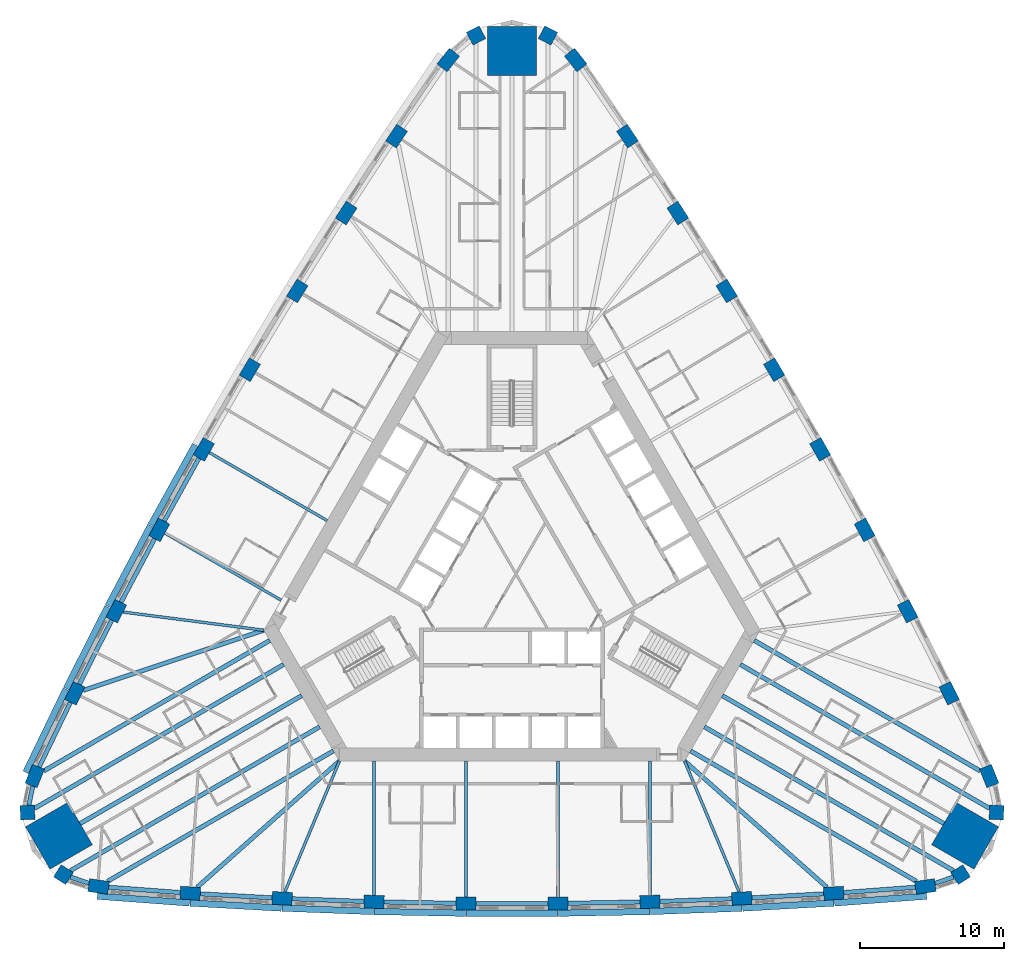
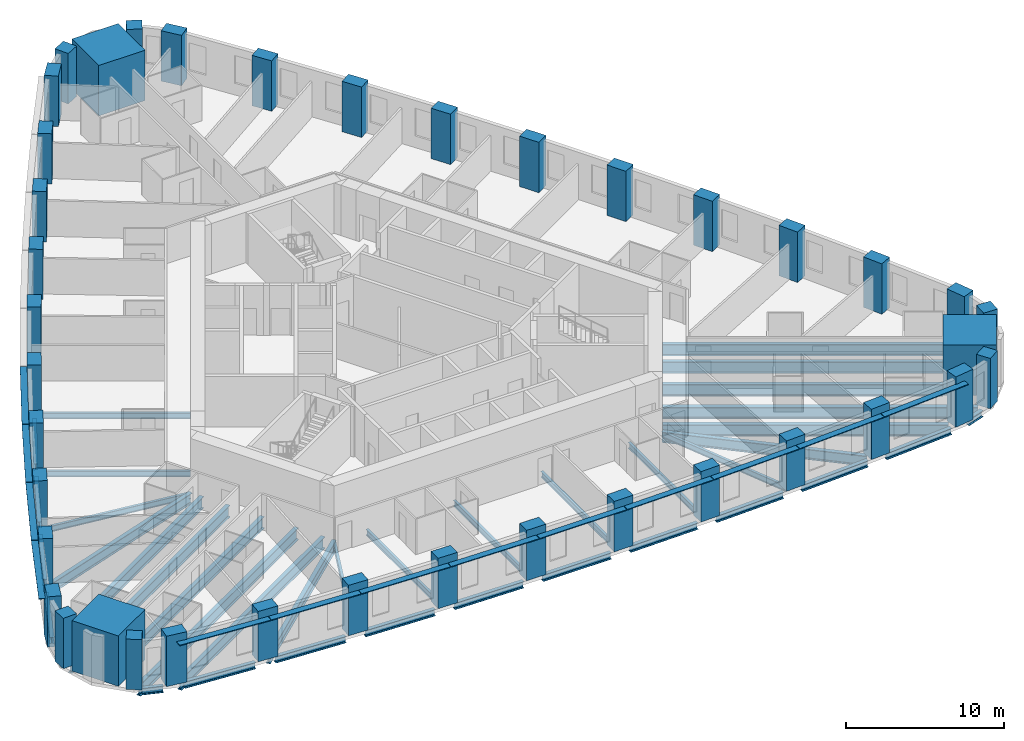
# One storey, part 1 of 13: 39 columns, 38 beams, 13 members.
"""IFC4 building model written with IfcOpenShell, lengths in metres."""

from ifc_helpers import new_model, si_unit, direction, frame, origin, origin_2d, place, context, subcontext, project, spatial, rectangle, i_section, extrude, material, material_profile, profile_set, type_object, element, save


model = new_model("IFC4")

# Units and contexts
model_context = context("Model", 3, precision=1e-05, world=origin(), true_north=direction((0.0, 1.0)))
body_context = subcontext(model_context, "Body", "Model", "MODEL_VIEW")
ifc_project = project(units=[si_unit("LENGTHUNIT", "METRE"), si_unit("AREAUNIT", "SQUARE_METRE"), si_unit("VOLUMEUNIT", "CUBIC_METRE"), si_unit("PLANEANGLEUNIT", "RADIAN"), si_unit("MASSUNIT", "GRAM", prefix="KILO")], contexts=[model_context])

# Site, building, storey
site_placement = place(None, origin())
site = spatial("IfcSite", under=ifc_project, at=site_placement, CompositionType="ELEMENT")
building_placement = place(site_placement, origin())
building = spatial("IfcBuilding", under=site, at=building_placement, Name="Mestral Congress Tower", CompositionType="ELEMENT")
storey_placement = place(building_placement, frame((0.0, 0.0, 51.0)))
storey = spatial("IfcBuildingStorey", under=building, at=storey_placement, Name="L11", CompositionType="ELEMENT", Elevation=51.0)

# Columns
ifc_material_1 = material(Name="Concrete C70/85", Category="concrete")
ifc_material_profile_1 = material_profile(ifc_material_1, rectangle(XDim=1.0, YDim=1.0, at=origin_2d()), Name="RC 1000x1000")
ifc_profile_set_1 = profile_set([ifc_material_profile_1], Name="Concrete C70/85")
column_type_1 = type_object("IfcColumnType", Name="Column RC 1000x1000 C70/85", PredefinedType="COLUMN", material=ifc_profile_set_1)
for number, where, z_axis, x_axis, name in (
    (1, (31.210205078125, -20.90966796875, 0.0), (0.0, 0.0, 1.0), (0.844485001826, 0.535579202071, 0.0), "COL-L11-C1-SE1"),
    (2, (33.71337890625, -16.573974609375, 0.0), (0.0, 0.0, 1.0), (0.041582693819, 0.999135065732, 0.0), "COL-L11-C1-SE3"),
    (3, (2.503173828125, 37.483642578125, 0.0), (0.0, 0.0, 1.0), (-0.886067695645, 0.463555863661, 0.0), "COL-L11-C1-N1"),
    (4, (-2.503173828125, 37.483642578125, 0.0), (0.0, 0.0, 1.0), (-0.886067695645, -0.463555863661, 0.0), "COL-L11-C1-N3"),
    (5, (-33.71337890625, -16.573974609375, 0.0), (0.0, 0.0, 1.0), (0.041582693819, -0.999135065732, 0.0), "COL-L11-C1-SW1"),
    (6, (-31.210205078125, -20.90966796875, 0.0), (0.0, 0.0, 1.0), (0.844485001826, -0.535579202071, 0.0), "COL-L11-C1-SW3"),
):
    element("IfcColumn", number, at=place(storey_placement, frame(where, z_axis=z_axis, x_axis=x_axis)), inside=storey, type_object=column_type_1, Name=name, PredefinedType="COLUMN", context=body_context, shape_type="SweptSolid", body=[
        extrude(rectangle(XDim=1.0, YDim=1.0, at=origin_2d()), origin(), (0.0, 0.0, 1.0), 3.89990234375),
    ])
ifc_material_profile_2 = material_profile(ifc_material_1, rectangle(XDim=1.39990234375, YDim=0.89990234375, at=origin_2d()), Name="RC 1400x900")
ifc_profile_set_2 = profile_set([ifc_material_profile_2], Name="Concrete C70/85")
column_type_2 = type_object("IfcColumnType", Name="Column RC 1400x900 C70/85", PredefinedType="COLUMN", material=ifc_profile_set_2)
for number, where, z_axis, x_axis, name in (
    (7, (-28.766845703125, -21.730712890625, 0.0), (0.0, 0.0, 1.0), (0.989423502484, -0.145055619443, 0.0), "COL-L11-C1-S00"),
    (8, (-22.384521484375, -22.20361328125, 0.0), (0.0, 0.0, 1.0), (0.997907501024, -0.064657709518, 0.0), "COL-L11-C1-S01"),
    (9, (-15.994384765625, -22.558349609375, 0.0), (0.0, 0.0, 1.0), (0.998932216029, -0.04619986774, 0.0), "COL-L11-C1-S02"),
    (10, (-9.598876953125, -22.794921875, 0.0), (0.0, 0.0, 1.0), (0.999615553977, -0.027726237529, 0.0), "COL-L11-C1-S03"),
    (11, (-3.199951171875, -22.9130859375, 0.0), (0.0, 0.0, 1.0), (0.999957281342, -0.009243132098, 0.0), "COL-L11-C1-S04"),
    (12, (3.199951171875, -22.9130859375, 0.0), (0.0, 0.0, 1.0), (0.999957281342, 0.009243132098, 0.0), "COL-L11-C1-S05"),
    (13, (9.598876953125, -22.794921875, 0.0), (0.0, 0.0, 1.0), (0.999615553977, 0.027726237529, 0.0), "COL-L11-C1-S06"),
    (14, (15.994384765625, -22.558349609375, 0.0), (0.0, 0.0, 1.0), (0.998932216029, 0.04619986774, 0.0), "COL-L11-C1-S07"),
    (15, (22.384521484375, -22.20361328125, 0.0), (0.0, 0.0, 1.0), (0.997907501024, 0.064657709518, 0.0), "COL-L11-C1-S08"),
    (16, (28.766845703125, -21.730712890625, 0.0), (0.0, 0.0, 1.0), (0.989423502484, 0.145055619443, 0.0), "COL-L11-C1-S09"),
    (17, (33.202880859375, -14.04736328125, 0.0), (0.0, 0.0, 1.0), (-0.369089899843, 0.929393697974, 0.0), "COL-L11-C1-E00"),
    (18, (30.421142578125, -8.28369140625, 0.0), (0.0, 0.0, 1.0), (-0.442958531519, 0.896542101273, 0.0), "COL-L11-C1-E01"),
    (19, (27.533203125, -2.572265625, 0.0), (0.0, 0.0, 1.0), (-0.4594558489, 0.88820060961, 0.0), "COL-L11-C1-E02"),
    (20, (24.540283203125, 3.084716796875, 0.0), (0.0, 0.0, 1.0), (-0.475796150937, 0.879555582526, 0.0), "COL-L11-C1-E03"),
    (21, (21.443359375, 8.685302734375, 0.0), (0.0, 0.0, 1.0), (-0.491973853463, 0.870609974391, 0.0), "COL-L11-C1-E04"),
    (22, (18.243408203125, 14.227783203125, 0.0), (0.0, 0.0, 1.0), (-0.507983427879, 0.861366842292, 0.0), "COL-L11-C1-E05"),
    (23, (14.941650390625, 19.710205078125, 0.0), (0.0, 0.0, 1.0), (-0.52381940304, 0.851829344998, 0.0), "COL-L11-C1-E06"),
    (24, (11.5390625, 25.130615234375, 0.0), (0.0, 0.0, 1.0), (-0.539476367129, 0.84200074187, 0.0), "COL-L11-C1-E07"),
    (25, (8.03662109375, 30.4873046875, 0.0), (0.0, 0.0, 1.0), (-0.554948969505, 0.831884391755, 0.0), "COL-L11-C1-E08"),
    (26, (4.43603515625, 35.7783203125, 0.0), (0.0, 0.0, 1.0), (-0.620333602641, 0.784338078531, 0.0), "COL-L11-C1-E09"),
    (27, (-4.43603515625, 35.7783203125, 0.0), (0.0, 0.0, 1.0), (-0.620333602641, -0.784338078531, 0.0), "COL-L11-C1-W00"),
    (28, (-8.03662109375, 30.4873046875, 0.0), (0.0, 0.0, 1.0), (-0.554948969505, -0.831884391755, 0.0), "COL-L11-C1-W01"),
    (29, (-11.5390625, 25.130615234375, 0.0), (0.0, 0.0, 1.0), (-0.539476367129, -0.84200074187, 0.0), "COL-L11-C1-W02"),
    (30, (-14.941650390625, 19.710205078125, 0.0), (0.0, 0.0, 1.0), (-0.52381940304, -0.851829344998, 0.0), "COL-L11-C1-W03"),
    (31, (-18.243408203125, 14.227783203125, 0.0), (0.0, 0.0, 1.0), (-0.507983427879, -0.861366842292, 0.0), "COL-L11-C1-W04"),
    (32, (-21.443359375, 8.685302734375, 0.0), (0.0, 0.0, 1.0), (-0.491973853463, -0.870609974391, 0.0), "COL-L11-C1-W05"),
    (33, (-24.540283203125, 3.084716796875, 0.0), (0.0, 0.0, 1.0), (-0.475796150937, -0.879555582526, 0.0), "COL-L11-C1-W06"),
    (34, (-27.533203125, -2.572265625, 0.0), (0.0, 0.0, 1.0), (-0.4594558489, -0.88820060961, 0.0), "COL-L11-C1-W07"),
    (35, (-30.421142578125, -8.28369140625, 0.0), (0.0, 0.0, 1.0), (-0.442958531519, -0.896542101273, 0.0), "COL-L11-C1-W08"),
    (36, (-33.202880859375, -14.04736328125, 0.0), (0.0, 0.0, 1.0), (-0.369089899843, -0.929393697974, 0.0), "COL-L11-C1-W09"),
):
    element("IfcColumn", number, at=place(storey_placement, frame(where, z_axis=z_axis, x_axis=x_axis)), inside=storey, type_object=column_type_2, Name=name, PredefinedType="COLUMN", context=body_context, shape_type="SweptSolid", body=[
        extrude(rectangle(XDim=1.39990234375, YDim=0.89990234375, at=origin_2d()), origin(), (0.0, 0.0, 1.0), 3.89990234375),
    ])
ifc_material_2 = material(Name="Concrete C80/95", Category="concrete")
ifc_material_profile_3 = material_profile(ifc_material_2, rectangle(XDim=3.39990234375, YDim=3.39990234375, at=origin_2d()), Name="RC 3400x3400")
ifc_profile_set_3 = profile_set([ifc_material_profile_3], Name="Concrete C80/95")
column_type_3 = type_object("IfcColumnType", Name="Mega column RC 3400x3400 C80/95", PredefinedType="COLUMN", material=ifc_profile_set_3)
for number, where, z_axis, x_axis, name in (
    (37, (31.5224609375, -18.199462890625, 0.0), (0.0, 0.0, 1.0), (0.866025403784, -0.5, 0.0), "COL-L11-PY1-SE"),
    (38, (0.0, 36.39892578125, 0.0), (0.0, 0.0, 1.0), (0.0, 1.0, 0.0), "COL-L11-PY1-N"),
    (39, (-31.5224609375, -18.199462890625, 0.0), (0.0, 0.0, 1.0), (-0.866025403784, -0.5, 0.0), "COL-L11-PY1-SW"),
):
    element("IfcColumn", number, at=place(storey_placement, frame(where, z_axis=z_axis, x_axis=x_axis)), inside=storey, type_object=column_type_3, Name=name, PredefinedType="COLUMN", context=body_context, shape_type="SweptSolid", body=[
        extrude(rectangle(XDim=3.39990234375, YDim=3.39990234375, at=origin_2d()), origin(), (0.0, 0.0, 1.0), 3.89990234375),
    ])

# Members
ifc_material_3 = material(Name="Glazed ceramic", Category="masonry")
ifc_material_profile_4 = material_profile(ifc_material_3, rectangle(XDim=0.449951171875, YDim=0.06005859375, at=origin_2d()), Name="Ceramic blade 450 x 60")
ifc_profile_set_4 = profile_set([ifc_material_profile_4], Name="Glazed ceramic")
member_type = type_object("IfcMemberType", Name="Facade sunshade blade 450 x 60", PredefinedType="USERDEFINED", material=ifc_profile_set_4)
member_1_placement = place(storey_placement, frame((-28.853271484375, -22.4013671875, 3.280029296875), z_axis=(0.997269829073, -0.073843672858, 0.0), x_axis=(0.073843672858, 0.997269829073, 0.0)))
element("IfcMember", 40, at=member_1_placement, inside=storey, type_object=member_type, Name="Sunshade F0-00", ObjectType="SUNSHADE", PredefinedType="USERDEFINED", context=body_context, shape_type="SweptSolid", body=[
    extrude(rectangle(XDim=0.449951171875, YDim=0.06005859375, at=origin_2d()), origin(), (0.0, 0.0, 1.0), 6.420654296875),
])
member_2_placement = place(storey_placement, frame((-22.406005859375, -22.87841796875, 3.280029296875), z_axis=(0.998462240013, -0.055436046654, 0.0), x_axis=(0.055436046654, 0.998462240013, 0.0)))
element("IfcMember", 41, at=member_2_placement, inside=storey, type_object=member_type, Name="Sunshade F0-01", ObjectType="SUNSHADE", PredefinedType="USERDEFINED", context=body_context, shape_type="SweptSolid", body=[
    extrude(rectangle(XDim=0.449951171875, YDim=0.06005859375, at=origin_2d()), origin(), (0.0, 0.0, 1.0), 6.3681640625),
])
member_3_placement = place(storey_placement, frame((-16.00341796875, -23.2333984375, 3.280029296875), z_axis=(0.99931546381, -0.036994645436, 0.0), x_axis=(0.036994645436, 0.99931546381, 0.0)))
element("IfcMember", 42, at=member_3_placement, inside=storey, type_object=member_type, Name="Sunshade F0-02", ObjectType="SUNSHADE", PredefinedType="USERDEFINED", context=body_context, shape_type="SweptSolid", body=[
    extrude(rectangle(XDim=0.449951171875, YDim=0.06005859375, at=origin_2d()), origin(), (0.0, 0.0, 1.0), 6.368408203125),
])
for number, where, z_axis, x_axis, name in (
    (43, (-9.595458984375, -23.47021484375, 3.280029296875), (0.99982925906, -0.018478439527, 0.0), (0.018478439527, 0.99982925906, 0.0), "Sunshade F0-03"),
    (44, (-3.18408203125, -23.588134765625, 3.280029296875), (1.0, 0.0, 0.0), (0.0, 1.0, 0.0), "Sunshade F0-04"),
    (45, (3.228271484375, -23.587890625, 3.280029296875), (0.99982925906, 0.018478439527, 0.0), (-0.018478439527, 0.99982925906, 0.0), "Sunshade F0-05"),
):
    element("IfcMember", number, at=place(storey_placement, frame(where, z_axis=z_axis, x_axis=x_axis)), inside=storey, type_object=member_type, Name=name, ObjectType="SUNSHADE", PredefinedType="USERDEFINED", context=body_context, shape_type="SweptSolid", body=[
        extrude(rectangle(XDim=0.449951171875, YDim=0.06005859375, at=origin_2d()), origin(), (0.0, 0.0, 1.0), 6.3681640625),
    ])
member_4_placement = place(storey_placement, frame((9.639404296875, -23.468994140625, 3.280029296875), z_axis=(0.99931546381, 0.036994645436, 0.0), x_axis=(-0.036994645436, 0.99931546381, 0.0)))
element("IfcMember", 46, at=member_4_placement, inside=storey, type_object=member_type, Name="Sunshade F0-06", ObjectType="SUNSHADE", PredefinedType="USERDEFINED", context=body_context, shape_type="SweptSolid", body=[
    extrude(rectangle(XDim=0.449951171875, YDim=0.06005859375, at=origin_2d()), origin(), (0.0, 0.0, 1.0), 6.368408203125),
])
member_5_placement = place(storey_placement, frame((16.047607421875, -23.2314453125, 3.280029296875), z_axis=(0.998462240013, 0.055436046654, 0.0), x_axis=(-0.055436046654, 0.998462240013, 0.0)))
element("IfcMember", 47, at=member_5_placement, inside=storey, type_object=member_type, Name="Sunshade F0-07", ObjectType="SUNSHADE", PredefinedType="USERDEFINED", context=body_context, shape_type="SweptSolid", body=[
    extrude(rectangle(XDim=0.449951171875, YDim=0.06005859375, at=origin_2d()), origin(), (0.0, 0.0, 1.0), 6.3681640625),
])
member_6_placement = place(storey_placement, frame((22.4501953125, -22.87548828125, 3.280029296875), z_axis=(0.997269829073, 0.073843672858, 0.0), x_axis=(-0.073843672858, 0.997269829073, 0.0)))
element("IfcMember", 48, at=member_6_placement, inside=storey, type_object=member_type, Name="Sunshade F0-08", ObjectType="SUNSHADE", PredefinedType="USERDEFINED", context=body_context, shape_type="SweptSolid", body=[
    extrude(rectangle(XDim=0.449951171875, YDim=0.06005859375, at=origin_2d()), origin(), (0.0, 0.0, 1.0), 6.420654296875),
])
for number, where, z_axis, x_axis, name in (
    (49, (-22.041748046875, 8.998291015625, 3.280029296875), (-0.483893994258, -0.875126620736, 0.0), (0.875126620736, -0.483893994258, 0.0), "Sunshade F2-05"),
    (50, (-25.144287109375, 3.38623046875, 3.280029296875), (-0.467674573128, -0.883900726128, 0.0), (0.883900726128, -0.467674573128, 0.0), "Sunshade F2-06"),
    (51, (-28.142822265625, -2.28173828125, 3.280029296875), (-0.451226804026, -0.892409307061, 0.0), (0.892409307061, -0.451226804026, 0.0), "Sunshade F2-07"),
):
    element("IfcMember", number, at=place(storey_placement, frame(where, z_axis=z_axis, x_axis=x_axis)), inside=storey, type_object=member_type, Name=name, ObjectType="SUNSHADE", PredefinedType="USERDEFINED", context=body_context, shape_type="SweptSolid", body=[
        extrude(rectangle(XDim=0.449951171875, YDim=0.06005859375, at=origin_2d()), origin(), (0.0, 0.0, 1.0), 6.3681640625),
    ])
member_7_placement = place(storey_placement, frame((-31.035888671875, -8.00439453125, 3.280029296875), z_axis=(-0.434637414368, -0.900605528537, 0.0), x_axis=(0.900605528537, -0.434637414368, 0.0)))
element("IfcMember", 52, at=member_7_placement, inside=storey, type_object=member_type, Name="Sunshade F2-08", ObjectType="SUNSHADE", PredefinedType="USERDEFINED", context=body_context, shape_type="SweptSolid", body=[
    extrude(rectangle(XDim=0.449951171875, YDim=0.06005859375, at=origin_2d()), origin(), (0.0, 0.0, 1.0), 6.4208984375),
])

# Beams
ifc_material_4 = material(Name="Steel S355", Category="steel")
ifc_material_profile_5 = material_profile(ifc_material_4, i_section(OverallWidth=0.300048828125, OverallDepth=0.800048828125, WebThickness=0.017578125, FlangeThickness=0.032958984375, FilletRadius=0.030029296875, at=origin_2d()), Name="HEB 800")
ifc_profile_set_5 = profile_set([ifc_material_profile_5], Name="Steel S355")
beam_type_1 = type_object("IfcBeamType", Name="Floor beam HEB 800 S355", PredefinedType="BEAM", material=ifc_profile_set_5)
for number, where, z_axis, x_axis, name in (
    (53, (-21.91064453125, -21.783447265625, -0.64990234375), (0.748091770025, 0.663595286015, 0.0), (-0.663595286015, 0.748091770025, 0.0), "BM-L11-RB1-S01"),
    (54, (21.91064453125, -21.783447265625, -0.64990234375), (-0.748091770025, 0.663595286015, 0.0), (-0.663595286015, -0.748091770025, 0.0), "BM-L11-RB1-S08"),
    (55, (-29.8203125, -8.08349609375, -0.64990234375), (0.948734931285, 0.316072824141, 0.0), (-0.316072824141, 0.948734931285, 0.0), "BM-L11-RB1-W08"),
):
    element("IfcBeam", number, at=place(storey_placement, frame(where, z_axis=z_axis, x_axis=x_axis)), inside=storey, type_object=beam_type_1, Name=name, PredefinedType="BEAM", context=body_context, shape_type="SweptSolid", body=[
        extrude(i_section(OverallWidth=0.300048828125, OverallDepth=0.800048828125, WebThickness=0.017578125, FlangeThickness=0.032958984375, FilletRadius=0.030029296875, at=origin_2d()), origin(), (0.0, 0.0, 1.0), 13.236083984375),
    ])
ifc_material_profile_6 = material_profile(ifc_material_4, i_section(OverallWidth=0.300048828125, OverallDepth=0.89990234375, WebThickness=0.0185546875, FlangeThickness=0.034912109375, FilletRadius=0.030029296875, at=origin_2d()), Name="HEB 900")
ifc_profile_set_6 = profile_set([ifc_material_profile_6], Name="Steel S355")
beam_type_2 = type_object("IfcBeamType", Name="Floor beam HEB 900 S355", PredefinedType="BEAM", material=ifc_profile_set_6)
for number, where, z_axis, x_axis, name in (
    (56, (-28.138671875, -21.3681640625, -0.699951171875), (0.866027243369, 0.499996813733, 0.0), (-0.499996813733, 0.866027243369, 0.0), "BM-L11-RB1-S00"),
    (57, (28.138671875, -21.3681640625, -0.699951171875), (-0.866027243369, 0.499996813733, 0.0), (-0.499996813733, -0.866027243369, 0.0), "BM-L11-RB1-S09"),
):
    element("IfcBeam", number, at=place(storey_placement, frame(where, z_axis=z_axis, x_axis=x_axis)), inside=storey, type_object=beam_type_2, Name=name, PredefinedType="BEAM", context=body_context, shape_type="SweptSolid", body=[
        extrude(i_section(OverallWidth=0.300048828125, OverallDepth=0.89990234375, WebThickness=0.0185546875, FlangeThickness=0.034912109375, FilletRadius=0.030029296875, at=origin_2d()), origin(), (0.0, 0.0, 1.0), 18.15283203125),
    ])
beam_1_placement = place(storey_placement, frame((30.721435546875, -20.62744140625, -0.699951171875), z_axis=(-0.866027382289, 0.499996573113, 0.0), x_axis=(-0.499996573113, -0.866027382289, 0.0)))
element("IfcBeam", 58, at=beam_1_placement, inside=storey, type_object=beam_type_2, Name="BM-L11-RB1-SE1", PredefinedType="BEAM", context=body_context, shape_type="SweptSolid", body=[
    extrude(i_section(OverallWidth=0.300048828125, OverallDepth=0.89990234375, WebThickness=0.0185546875, FlangeThickness=0.034912109375, FilletRadius=0.030029296875, at=origin_2d()), origin(), (0.0, 0.0, 1.0), 20.019287109375),
])
beam_2_placement = place(storey_placement, frame((30.050048828125, -17.349609375, -0.699951171875), z_axis=(-0.866020438056, 0.500008600796, 0.0), x_axis=(-0.500008600796, -0.866020438056, 0.0)))
element("IfcBeam", 59, at=beam_2_placement, inside=storey, type_object=beam_type_2, Name="BM-L11-RB1-SE", PredefinedType="BEAM", context=body_context, shape_type="SweptSolid", body=[
    extrude(i_section(OverallWidth=0.300048828125, OverallDepth=0.89990234375, WebThickness=0.0185546875, FlangeThickness=0.034912109375, FilletRadius=0.030029296875, at=origin_2d()), origin(), (0.0, 0.0, 1.0), 17.799072265625),
])
beam_3_placement = place(storey_placement, frame((33.224609375, -16.291748046875, -0.699951171875), z_axis=(-0.866027382289, 0.499996573113, 0.0), x_axis=(-0.499996573113, -0.866027382289, 0.0)))
element("IfcBeam", 60, at=beam_3_placement, inside=storey, type_object=beam_type_2, Name="BM-L11-RB1-SE3", PredefinedType="BEAM", context=body_context, shape_type="SweptSolid", body=[
    extrude(i_section(OverallWidth=0.300048828125, OverallDepth=0.89990234375, WebThickness=0.0185546875, FlangeThickness=0.034912109375, FilletRadius=0.030029296875, at=origin_2d()), origin(), (0.0, 0.0, 1.0), 20.019287109375),
])
for number, where, z_axis, x_axis, name in (
    (61, (32.574462890625, -13.6845703125, -0.699951171875), (-0.866029704776, 0.49999255039, 0.0), (-0.49999255039, -0.866029704776, 0.0), "BM-L11-RB1-E00"),
    (62, (-32.574462890625, -13.6845703125, -0.699951171875), (0.866029704776, 0.49999255039, 0.0), (-0.49999255039, 0.866029704776, 0.0), "BM-L11-RB1-W09"),
):
    element("IfcBeam", number, at=place(storey_placement, frame(where, z_axis=z_axis, x_axis=x_axis)), inside=storey, type_object=beam_type_2, Name=name, PredefinedType="BEAM", context=body_context, shape_type="SweptSolid", body=[
        extrude(i_section(OverallWidth=0.300048828125, OverallDepth=0.89990234375, WebThickness=0.0185546875, FlangeThickness=0.034912109375, FilletRadius=0.030029296875, at=origin_2d()), origin(), (0.0, 0.0, 1.0), 18.152587890625),
    ])
beam_4_placement = place(storey_placement, frame((-33.224609375, -16.291748046875, -0.699951171875), z_axis=(0.866027382289, 0.499996573113, 0.0), x_axis=(-0.499996573113, 0.866027382289, 0.0)))
element("IfcBeam", 63, at=beam_4_placement, inside=storey, type_object=beam_type_2, Name="BM-L11-RB1-SW1", PredefinedType="BEAM", context=body_context, shape_type="SweptSolid", body=[
    extrude(i_section(OverallWidth=0.300048828125, OverallDepth=0.89990234375, WebThickness=0.0185546875, FlangeThickness=0.034912109375, FilletRadius=0.030029296875, at=origin_2d()), origin(), (0.0, 0.0, 1.0), 20.019287109375),
])
beam_5_placement = place(storey_placement, frame((-30.050048828125, -17.349609375, -0.699951171875), z_axis=(0.866020438056, 0.500008600796, 0.0), x_axis=(-0.500008600796, 0.866020438056, 0.0)))
element("IfcBeam", 64, at=beam_5_placement, inside=storey, type_object=beam_type_2, Name="BM-L11-RB1-SW", PredefinedType="BEAM", context=body_context, shape_type="SweptSolid", body=[
    extrude(i_section(OverallWidth=0.300048828125, OverallDepth=0.89990234375, WebThickness=0.0185546875, FlangeThickness=0.034912109375, FilletRadius=0.030029296875, at=origin_2d()), origin(), (0.0, 0.0, 1.0), 17.799072265625),
])
beam_6_placement = place(storey_placement, frame((-30.721435546875, -20.62744140625, -0.699951171875), z_axis=(0.866027382289, 0.499996573113, 0.0), x_axis=(-0.499996573113, 0.866027382289, 0.0)))
element("IfcBeam", 65, at=beam_6_placement, inside=storey, type_object=beam_type_2, Name="BM-L11-RB1-SW3", PredefinedType="BEAM", context=body_context, shape_type="SweptSolid", body=[
    extrude(i_section(OverallWidth=0.300048828125, OverallDepth=0.89990234375, WebThickness=0.0185546875, FlangeThickness=0.034912109375, FilletRadius=0.030029296875, at=origin_2d()), origin(), (0.0, 0.0, 1.0), 20.019287109375),
])
ifc_material_profile_7 = material_profile(ifc_material_4, i_section(OverallWidth=0.18994140625, OverallDepth=0.449951171875, WebThickness=0.009521484375, FlangeThickness=0.0146484375, FilletRadius=0.02099609375, at=origin_2d()), Name="IPE 450")
ifc_profile_set_7 = profile_set([ifc_material_profile_7], Name="Steel S355")
beam_type_3 = type_object("IfcBeamType", Name="Floor beam IPE 450 S355", PredefinedType="BEAM", material=ifc_profile_set_7)
beam_7_placement = place(storey_placement, frame((-15.81005859375, -22.116455078125, -0.47509765625), z_axis=(0.384852309441, 0.922978168711, 0.0), x_axis=(-0.922978168711, 0.384852309441, 0.0)))
element("IfcBeam", 66, at=beam_7_placement, inside=storey, type_object=beam_type_3, Name="BM-L11-RB1-S02", PredefinedType="BEAM", context=body_context, shape_type="SweptSolid", body=[
    extrude(i_section(OverallWidth=0.18994140625, OverallDepth=0.449951171875, WebThickness=0.009521484375, FlangeThickness=0.0146484375, FilletRadius=0.02099609375, at=origin_2d()), origin(), (0.0, 0.0, 1.0), 9.877197265625),
])
beam_8_placement = place(storey_placement, frame((-9.598876953125, -22.3447265625, -0.47509765625), z_axis=(0.0, 1.0, 0.0), x_axis=(-1.0, 0.0, 0.0)))
element("IfcBeam", 67, at=beam_8_placement, inside=storey, type_object=beam_type_3, Name="BM-L11-RB1-S03", PredefinedType="BEAM", context=body_context, shape_type="SweptSolid", body=[
    extrude(i_section(OverallWidth=0.18994140625, OverallDepth=0.449951171875, WebThickness=0.009521484375, FlangeThickness=0.0146484375, FilletRadius=0.02099609375, at=origin_2d()), origin(), (0.0, 0.0, 1.0), 9.3447265625),
])
for number, where, z_axis, x_axis, name in (
    (68, (-3.199951171875, -22.463134765625, -0.47509765625), (0.0, 1.0, 0.0), (-1.0, 0.0, 0.0), "BM-L11-RB1-S04"),
    (69, (3.199951171875, -22.463134765625, -0.47509765625), (0.0, 1.0, 0.0), (-1.0, 0.0, 0.0), "BM-L11-RB1-S05"),
):
    element("IfcBeam", number, at=place(storey_placement, frame(where, z_axis=z_axis, x_axis=x_axis)), inside=storey, type_object=beam_type_3, Name=name, PredefinedType="BEAM", context=body_context, shape_type="SweptSolid", body=[
        extrude(i_section(OverallWidth=0.18994140625, OverallDepth=0.449951171875, WebThickness=0.009521484375, FlangeThickness=0.0146484375, FilletRadius=0.02099609375, at=origin_2d()), origin(), (0.0, 0.0, 1.0), 9.463134765625),
    ])
beam_9_placement = place(storey_placement, frame((9.598876953125, -22.3447265625, -0.47509765625), z_axis=(0.0, 1.0, 0.0), x_axis=(-1.0, 0.0, 0.0)))
element("IfcBeam", 70, at=beam_9_placement, inside=storey, type_object=beam_type_3, Name="BM-L11-RB1-S06", PredefinedType="BEAM", context=body_context, shape_type="SweptSolid", body=[
    extrude(i_section(OverallWidth=0.18994140625, OverallDepth=0.449951171875, WebThickness=0.009521484375, FlangeThickness=0.0146484375, FilletRadius=0.02099609375, at=origin_2d()), origin(), (0.0, 0.0, 1.0), 9.3447265625),
])
beam_10_placement = place(storey_placement, frame((15.81005859375, -22.116455078125, -0.47509765625), z_axis=(-0.384852309441, 0.922978168711, 0.0), x_axis=(-0.922978168711, -0.384852309441, 0.0)))
element("IfcBeam", 71, at=beam_10_placement, inside=storey, type_object=beam_type_3, Name="BM-L11-RB1-S07", PredefinedType="BEAM", context=body_context, shape_type="SweptSolid", body=[
    extrude(i_section(OverallWidth=0.18994140625, OverallDepth=0.449951171875, WebThickness=0.009521484375, FlangeThickness=0.0146484375, FilletRadius=0.02099609375, at=origin_2d()), origin(), (0.0, 0.0, 1.0), 9.877197265625),
])
beam_11_placement = place(storey_placement, frame((-21.0537109375, 8.46044921875, -0.47509765625), z_axis=(0.866019749231, -0.500009793847, 0.0), x_axis=(0.500009793847, 0.866019749231, 0.0)))
element("IfcBeam", 72, at=beam_11_placement, inside=storey, type_object=beam_type_3, Name="BM-L11-RB1-W05", PredefinedType="BEAM", context=body_context, shape_type="SweptSolid", body=[
    extrude(i_section(OverallWidth=0.18994140625, OverallDepth=0.449951171875, WebThickness=0.009521484375, FlangeThickness=0.0146484375, FilletRadius=0.02099609375, at=origin_2d()), origin(), (0.0, 0.0, 1.0), 9.463134765625),
])
beam_12_placement = place(storey_placement, frame((-24.150634765625, 2.859619140625, -0.47509765625), z_axis=(0.866032011123, -0.499988555579, 0.0), x_axis=(0.499988555579, 0.866032011123, 0.0)))
element("IfcBeam", 73, at=beam_12_placement, inside=storey, type_object=beam_type_3, Name="BM-L11-RB1-W06", PredefinedType="BEAM", context=body_context, shape_type="SweptSolid", body=[
    extrude(i_section(OverallWidth=0.18994140625, OverallDepth=0.449951171875, WebThickness=0.009521484375, FlangeThickness=0.0146484375, FilletRadius=0.02099609375, at=origin_2d()), origin(), (0.0, 0.0, 1.0), 9.344970703125),
])
beam_13_placement = place(storey_placement, frame((-27.058349609375, -2.6337890625, -0.47509765625), z_axis=(0.99175011495, -0.128186229747, 0.0), x_axis=(0.128186229747, 0.99175011495, 0.0)))
element("IfcBeam", 74, at=beam_13_placement, inside=storey, type_object=beam_type_3, Name="BM-L11-RB1-W07", PredefinedType="BEAM", context=body_context, shape_type="SweptSolid", body=[
    extrude(i_section(OverallWidth=0.18994140625, OverallDepth=0.449951171875, WebThickness=0.009521484375, FlangeThickness=0.0146484375, FilletRadius=0.02099609375, at=origin_2d()), origin(), (0.0, 0.0, 1.0), 9.877197265625),
])
ifc_material_profile_8 = material_profile(ifc_material_4, i_section(OverallWidth=0.300048828125, OverallDepth=0.489990234375, WebThickness=0.011962890625, FlangeThickness=0.02294921875, FilletRadius=0.027099609375, at=origin_2d()), Name="HEA 500")
ifc_profile_set_8 = profile_set([ifc_material_profile_8], Name="Steel S355")
beam_type_4 = type_object("IfcBeamType", Name="Spandrel beam HEA 500 S355", PredefinedType="BEAM", material=ifc_profile_set_8)
beam_14_placement = place(storey_placement, frame((-28.06689453125, -21.78271484375, -0.4951171875), z_axis=(0.997268820599, -0.073857291181, 0.0), x_axis=(0.073857291181, 0.997268820599, 0.0)))
element("IfcBeam", 75, at=beam_14_placement, inside=storey, type_object=beam_type_4, Name="SP-L11-SB1-S00", PredefinedType="BEAM", context=body_context, shape_type="SweptSolid", body=[
    extrude(i_section(OverallWidth=0.300048828125, OverallDepth=0.489990234375, WebThickness=0.011962890625, FlangeThickness=0.02294921875, FilletRadius=0.027099609375, at=origin_2d()), origin(), (0.0, 0.0, 1.0), 4.998046875),
])
for number, where, z_axis, x_axis, name in (
    (76, (-21.685546875, -22.242431640625, -0.4951171875), (0.998463056415, -0.055421340426, 0.0), (0.055421340426, 0.998463056415, 0.0), "SP-L11-SB1-S01"),
    (77, (-15.294677734375, -22.584228515625, -0.4951171875), (0.999316571833, -0.036964702901, 0.0), (0.036964702901, 0.999316571833, 0.0), "SP-L11-SB1-S02"),
    (78, (-8.89892578125, -22.807861328125, -0.4951171875), (0.999829645984, -0.018457492, 0.0), (0.018457492, 0.999829645984, 0.0), "SP-L11-SB1-S03"),
):
    element("IfcBeam", number, at=place(storey_placement, frame(where, z_axis=z_axis, x_axis=x_axis)), inside=storey, type_object=beam_type_4, Name=name, PredefinedType="BEAM", context=body_context, shape_type="SweptSolid", body=[
        extrude(i_section(OverallWidth=0.300048828125, OverallDepth=0.489990234375, WebThickness=0.011962890625, FlangeThickness=0.02294921875, FilletRadius=0.027099609375, at=origin_2d()), origin(), (0.0, 0.0, 1.0), 4.999755859375),
    ])
beam_15_placement = place(storey_placement, frame((-2.5, -22.9130859375, -0.4951171875), z_axis=(1.0, 0.0, 0.0), x_axis=(0.0, 1.0, 0.0)))
element("IfcBeam", 79, at=beam_15_placement, inside=storey, type_object=beam_type_4, Name="SP-L11-SB1-S04", PredefinedType="BEAM", context=body_context, shape_type="SweptSolid", body=[
    extrude(i_section(OverallWidth=0.300048828125, OverallDepth=0.489990234375, WebThickness=0.011962890625, FlangeThickness=0.02294921875, FilletRadius=0.027099609375, at=origin_2d()), origin(), (0.0, 0.0, 1.0), 5.0),
])
for number, where, z_axis, x_axis, name in (
    (80, (3.89990234375, -22.900146484375, -0.4951171875), (0.999829645984, 0.018457492, 0.0), (-0.018457492, 0.999829645984, 0.0), "SP-L11-SB1-S05"),
    (81, (10.29833984375, -22.76904296875, -0.4951171875), (0.999316571833, 0.036964702901, 0.0), (-0.036964702901, 0.999316571833, 0.0), "SP-L11-SB1-S06"),
    (82, (16.693359375, -22.51953125, -0.4951171875), (0.998463056415, 0.055421340426, 0.0), (-0.055421340426, 0.998463056415, 0.0), "SP-L11-SB1-S07"),
):
    element("IfcBeam", number, at=place(storey_placement, frame(where, z_axis=z_axis, x_axis=x_axis)), inside=storey, type_object=beam_type_4, Name=name, PredefinedType="BEAM", context=body_context, shape_type="SweptSolid", body=[
        extrude(i_section(OverallWidth=0.300048828125, OverallDepth=0.489990234375, WebThickness=0.011962890625, FlangeThickness=0.02294921875, FilletRadius=0.027099609375, at=origin_2d()), origin(), (0.0, 0.0, 1.0), 4.999755859375),
    ])
beam_16_placement = place(storey_placement, frame((23.08251953125, -22.15185546875, -0.4951171875), z_axis=(0.997268820599, 0.073857291181, 0.0), x_axis=(-0.073857291181, 0.997268820599, 0.0)))
element("IfcBeam", 83, at=beam_16_placement, inside=storey, type_object=beam_type_4, Name="SP-L11-SB1-S08", PredefinedType="BEAM", context=body_context, shape_type="SweptSolid", body=[
    extrude(i_section(OverallWidth=0.300048828125, OverallDepth=0.489990234375, WebThickness=0.011962890625, FlangeThickness=0.02294921875, FilletRadius=0.027099609375, at=origin_2d()), origin(), (0.0, 0.0, 1.0), 4.998046875),
])
beam_17_placement = place(storey_placement, frame((29.441162109375, -21.504150390625, -0.4951171875), z_axis=(0.947921796083, 0.318503168762, 0.0), x_axis=(-0.318503168762, 0.947921796083, 0.0)))
element("IfcBeam", 84, at=beam_17_placement, inside=storey, type_object=beam_type_4, Name="SP-L11-SB1-S09", PredefinedType="BEAM", context=body_context, shape_type="SweptSolid", body=[
    extrude(i_section(OverallWidth=0.300048828125, OverallDepth=0.489990234375, WebThickness=0.011962890625, FlangeThickness=0.02294921875, FilletRadius=0.027099609375, at=origin_2d()), origin(), (0.0, 0.0, 1.0), 1.351318359375),
])
beam_18_placement = place(storey_placement, frame((-21.7822265625, 8.07275390625, -0.4951171875), z_axis=(-0.483900688062, -0.875122919419, 0.0), x_axis=(0.875122919419, -0.483900688062, 0.0)))
element("IfcBeam", 85, at=beam_18_placement, inside=storey, type_object=beam_type_4, Name="SP-L11-SB1-W05", PredefinedType="BEAM", context=body_context, shape_type="SweptSolid", body=[
    extrude(i_section(OverallWidth=0.300048828125, OverallDepth=0.489990234375, WebThickness=0.011962890625, FlangeThickness=0.02294921875, FilletRadius=0.027099609375, at=origin_2d()), origin(), (0.0, 0.0, 1.0), 4.999755859375),
])
beam_19_placement = place(storey_placement, frame((-24.86767578125, 2.4658203125, -0.4951171875), z_axis=(-0.467681307417, -0.883897162962, 0.0), x_axis=(0.883897162962, -0.467681307417, 0.0)))
element("IfcBeam", 86, at=beam_19_placement, inside=storey, type_object=beam_type_4, Name="SP-L11-SB1-W06", PredefinedType="BEAM", context=body_context, shape_type="SweptSolid", body=[
    extrude(i_section(OverallWidth=0.300048828125, OverallDepth=0.489990234375, WebThickness=0.011962890625, FlangeThickness=0.02294921875, FilletRadius=0.027099609375, at=origin_2d()), origin(), (0.0, 0.0, 1.0), 5.0),
])
beam_20_placement = place(storey_placement, frame((-27.84912109375, -3.197021484375, -0.4951171875), z_axis=(-0.45123261425, -0.892406369227, 0.0), x_axis=(0.892406369227, -0.45123261425, 0.0)))
element("IfcBeam", 87, at=beam_20_placement, inside=storey, type_object=beam_type_4, Name="SP-L11-SB1-W07", PredefinedType="BEAM", context=body_context, shape_type="SweptSolid", body=[
    extrude(i_section(OverallWidth=0.300048828125, OverallDepth=0.489990234375, WebThickness=0.011962890625, FlangeThickness=0.02294921875, FilletRadius=0.027099609375, at=origin_2d()), origin(), (0.0, 0.0, 1.0), 4.999755859375),
])
beam_21_placement = place(storey_placement, frame((-30.725341796875, -8.9140625, -0.4951171875), z_axis=(-0.434645244295, -0.900601749727, 0.0), x_axis=(0.900601749727, -0.434645244295, 0.0)))
element("IfcBeam", 88, at=beam_21_placement, inside=storey, type_object=beam_type_4, Name="SP-L11-SB1-W08", PredefinedType="BEAM", context=body_context, shape_type="SweptSolid", body=[
    extrude(i_section(OverallWidth=0.300048828125, OverallDepth=0.489990234375, WebThickness=0.011962890625, FlangeThickness=0.02294921875, FilletRadius=0.027099609375, at=origin_2d()), origin(), (0.0, 0.0, 1.0), 4.998046875),
])
beam_22_placement = place(storey_placement, frame((-33.34375, -14.74462890625, -0.4951171875), z_axis=(-0.197991750859, -0.980203686277, 0.0), x_axis=(0.980203686277, -0.197991750859, 0.0)))
element("IfcBeam", 89, at=beam_22_placement, inside=storey, type_object=beam_type_4, Name="SP-L11-SB1-W09", PredefinedType="BEAM", context=body_context, shape_type="SweptSolid", body=[
    extrude(i_section(OverallWidth=0.300048828125, OverallDepth=0.489990234375, WebThickness=0.011962890625, FlangeThickness=0.02294921875, FilletRadius=0.027099609375, at=origin_2d()), origin(), (0.0, 0.0, 1.0), 1.3515625),
])
beam_23_placement = place(storey_placement, frame((-30.72216796875, -21.07373046875, -0.4951171875), z_axis=(0.947921796083, -0.318503168762, 0.0), x_axis=(0.318503168762, 0.947921796083, 0.0)))
element("IfcBeam", 90, at=beam_23_placement, inside=storey, type_object=beam_type_4, Name="SP-L11-SB1-SW3", PredefinedType="BEAM", context=body_context, shape_type="SweptSolid", body=[
    extrude(i_section(OverallWidth=0.300048828125, OverallDepth=0.489990234375, WebThickness=0.011962890625, FlangeThickness=0.02294921875, FilletRadius=0.027099609375, at=origin_2d()), origin(), (0.0, 0.0, 1.0), 1.351318359375),
])

save(model, "model.ifc")
